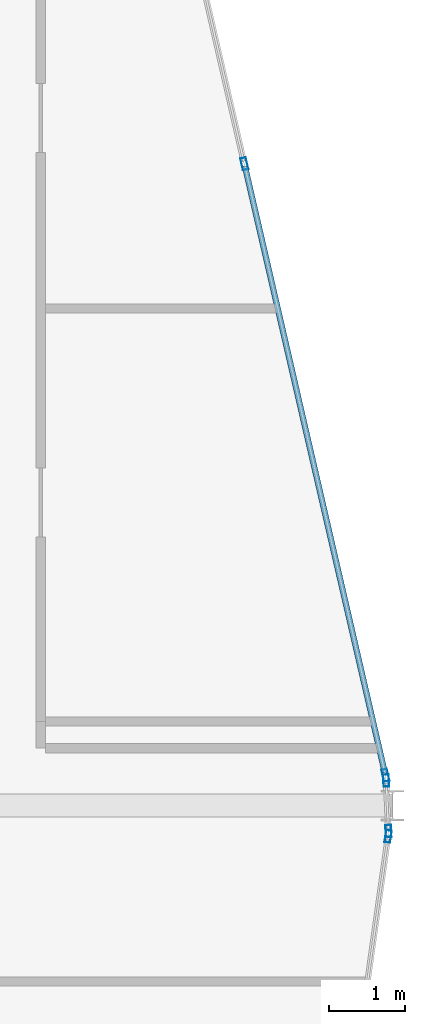
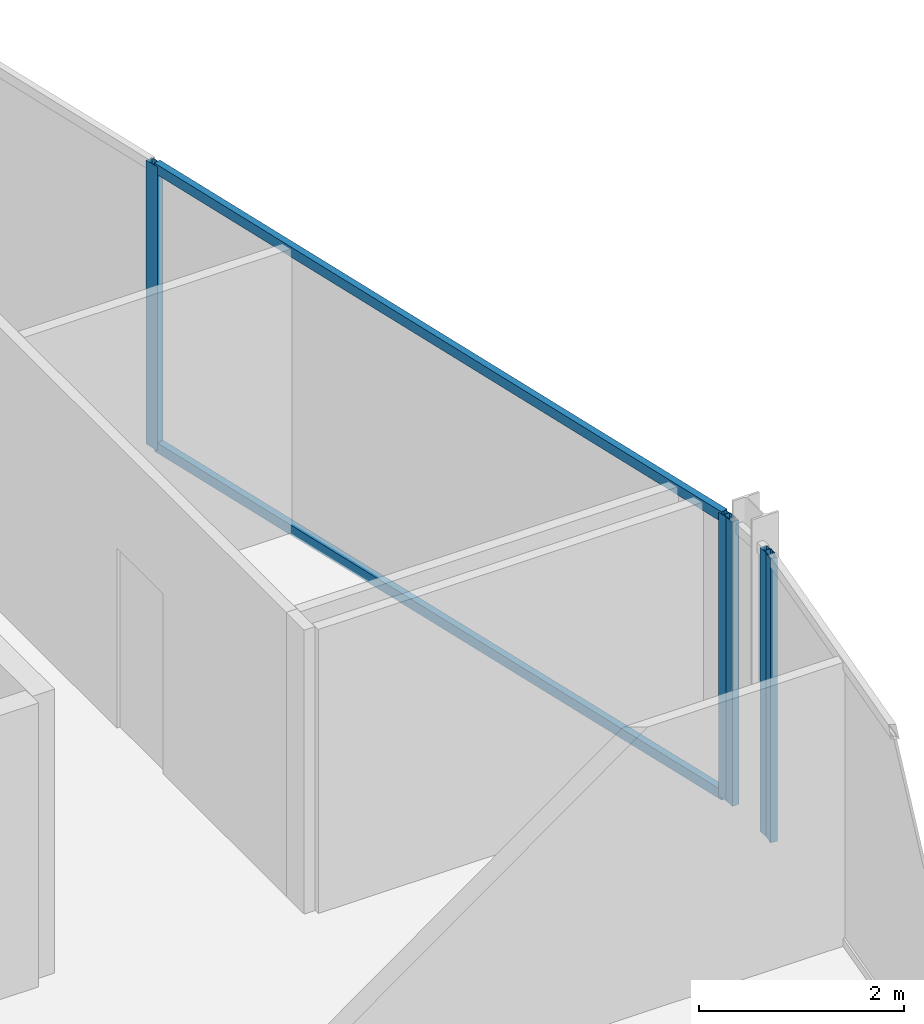
# One storey, part 14 of 27: 7 members, 3 elements without a shape of their own.
"""IFC4 building model written with IfcOpenShell, lengths in metres."""

from ifc_helpers import new_model, si_unit, direction, frame, origin, origin_2d, place, context, subcontext, project, spatial, hollow_rectangle, extrude, material, layer, layer_set, material_profile, profile_set, type_object, element, aggregate, save


model = new_model("IFC4")

# Units and contexts
model_context = context("Model", 3, precision=1e-05, world=origin(), true_north=direction((0.0, 1.0)))
body_context = subcontext(model_context, "Body", "Model", "MODEL_VIEW")
ifc_project = project(units=[si_unit("LENGTHUNIT", "METRE"), si_unit("AREAUNIT", "SQUARE_METRE"), si_unit("VOLUMEUNIT", "CUBIC_METRE"), si_unit("PLANEANGLEUNIT", "RADIAN"), si_unit("MASSUNIT", "GRAM", prefix="KILO")], contexts=[model_context])

# Site, building, storey
site_placement = place(None, origin())
site = spatial("IfcSite", under=ifc_project, at=site_placement, CompositionType="ELEMENT")
building_placement = place(site_placement, origin())
building = spatial("IfcBuilding", under=site, at=building_placement, Name="Keshet Zoharim Tower", CompositionType="ELEMENT")
storey_placement = place(building_placement, frame((0.0, 0.0, 262.10009765625)))
storey = spatial("IfcBuildingStorey", under=building, at=storey_placement, Name="L65", CompositionType="ELEMENT", Elevation=262.10009765625)

# Curtain wall, members
ifc_material = material(Name="Aluminium 6063-T6", Category="aluminium")
ifc_layer = layer(ifc_material, 0.260009765625)
ifc_layer_set = layer_set([ifc_layer], Name="Aluminium 6063-T6")
curtain_wall_type = type_object("IfcCurtainWallType", Name="CW-SYS-06", PredefinedType="NOTDEFINED", material=ifc_layer_set)
curtain_wall_1_placement = place(storey_placement, origin())
curtain_wall_1 = element("IfcCurtainWall", 1, at=curtain_wall_1_placement, inside=storey, type_object=curtain_wall_type, Name="L65 Unitised Curtain Wall 09", PredefinedType="NOTDEFINED")
ifc_material_profile_1 = material_profile(ifc_material, hollow_rectangle(XDim=0.074951171875, YDim=0.159912109375, WallThickness=0.00390625, at=origin_2d()), Name="MUL-75x160")
ifc_profile_set_1 = profile_set([ifc_material_profile_1], Name="Aluminium 6063-T6")
member_type_1 = type_object("IfcMemberType", Name="CWM-M15", PredefinedType="MULLION", material=ifc_profile_set_1)
member_1_placement = place(storey_placement, frame((43.063232421875, 36.291259765625, 0.0), z_axis=(0.0, 0.0, 1.0), x_axis=(0.974398012932, 0.224829963294, 0.0)))
member_1 = element("IfcMember", 2, at=member_1_placement, type_object=member_type_1, Name="CW-06 mullion 3", PredefinedType="MULLION", context=body_context, shape_type="SweptSolid", body=[
    extrude(hollow_rectangle(XDim=0.074951171875, YDim=0.159912109375, WallThickness=0.00390625, at=origin_2d()), origin(), (0.0, 0.0, 1.0), 3.389892578125),
])
member_2_placement = place(storey_placement, frame((44.908203125, 28.296142578125, 0.0), z_axis=(0.0, 0.0, 1.0), x_axis=(0.974398012932, 0.224829963294, 0.0)))
member_2 = element("IfcMember", 3, at=member_2_placement, type_object=member_type_1, Name="CW-06 mullion 4", PredefinedType="MULLION", context=body_context, shape_type="SweptSolid", body=[
    extrude(hollow_rectangle(XDim=0.074951171875, YDim=0.159912109375, WallThickness=0.00390625, at=origin_2d()), origin(), (0.0, 0.0, 1.0), 3.389892578125),
])

curtain_wall_2_placement = place(storey_placement, origin())
curtain_wall_2 = element("IfcCurtainWall", 4, at=curtain_wall_2_placement, inside=storey, type_object=curtain_wall_type, Name="L65 Unitised Curtain Wall 10", PredefinedType="NOTDEFINED")
member_3_placement = place(storey_placement, frame((44.91748046875, 28.22705078125, 0.0), z_axis=(0.0, 0.0, 1.0), x_axis=(0.999040601801, 0.043793560626, 0.0)))
member_3 = element("IfcMember", 5, at=member_3_placement, type_object=member_type_1, Name="CW-06 mullion 1", PredefinedType="MULLION", context=body_context, shape_type="SweptSolid", body=[
    extrude(hollow_rectangle(XDim=0.074951171875, YDim=0.159912109375, WallThickness=0.00390625, at=origin_2d()), origin(), (0.0, 0.0, 1.0), 3.389892578125),
])
member_4_placement = place(storey_placement, frame((44.946533203125, 27.56689453125, 0.0), z_axis=(0.0, 0.0, 1.0), x_axis=(0.999040601801, 0.043793560626, 0.0)))
member_4 = element("IfcMember", 6, at=member_4_placement, type_object=member_type_1, Name="CW-06 mullion 2", PredefinedType="MULLION", context=body_context, shape_type="SweptSolid", body=[
    extrude(hollow_rectangle(XDim=0.074951171875, YDim=0.159912109375, WallThickness=0.00390625, at=origin_2d()), origin(), (0.0, 0.0, 1.0), 3.389892578125),
])
aggregate(curtain_wall_2, [member_3, member_4])

# Curtain wall, member
curtain_wall_3_placement = place(storey_placement, origin())
curtain_wall_3 = element("IfcCurtainWall", 7, at=curtain_wall_3_placement, inside=storey, type_object=curtain_wall_type, Name="L65 Unitised Curtain Wall 11", PredefinedType="NOTDEFINED")
member_5_placement = place(storey_placement, frame((44.943115234375, 27.497314453125, 0.0), z_axis=(0.0, 0.0, 1.0), x_axis=(0.990132057422, -0.140137464177, 0.0)))
member_5 = element("IfcMember", 8, at=member_5_placement, type_object=member_type_1, Name="CW-06 mullion 1", PredefinedType="MULLION", context=body_context, shape_type="SweptSolid", body=[
    extrude(hollow_rectangle(XDim=0.074951171875, YDim=0.159912109375, WallThickness=0.00390625, at=origin_2d()), origin(), (0.0, 0.0, 1.0), 3.389892578125),
])
aggregate(curtain_wall_3, [member_5])

# Member
ifc_material_profile_2 = material_profile(ifc_material, hollow_rectangle(XDim=0.074951171875, YDim=0.1201171875, WallThickness=0.00390625, at=origin_2d()), Name="TRN-75x120")
ifc_profile_set_2 = profile_set([ifc_material_profile_2], Name="Aluminium 6063-T6")
member_type_2 = type_object("IfcMemberType", Name="CWT-T12", PredefinedType="USERDEFINED", material=ifc_profile_set_2)
member_6_placement = place(storey_placement, frame((43.0712890625, 36.25732421875, 0.034912109375), z_axis=(0.224806904107, -0.974403333259, 0.0), x_axis=(0.974403333259, 0.224806904107, 0.0)))
member_6 = element("IfcMember", 9, at=member_6_placement, type_object=member_type_2, Name="CW-06 transom 3.1", ObjectType="TRANSOM", PredefinedType="USERDEFINED", context=body_context, shape_type="SweptSolid", body=[
    extrude(hollow_rectangle(XDim=0.074951171875, YDim=0.1201171875, WallThickness=0.00390625, at=origin_2d()), origin(), (0.0, 0.0, 1.0), 8.13525390625),
])

member_7_placement = place(storey_placement, frame((43.0712890625, 36.25732421875, 3.35498046875), z_axis=(0.224806904107, -0.974403333259, 0.0), x_axis=(0.974403333259, 0.224806904107, 0.0)))
member_7 = element("IfcMember", 10, at=member_7_placement, type_object=member_type_2, Name="CW-06 transom 3.2", ObjectType="TRANSOM", PredefinedType="USERDEFINED", context=body_context, shape_type="SweptSolid", body=[
    extrude(hollow_rectangle(XDim=0.074951171875, YDim=0.1201171875, WallThickness=0.00390625, at=origin_2d()), origin(), (0.0, 0.0, 1.0), 8.13525390625),
])

aggregate(curtain_wall_1, [member_1, member_2, member_6, member_7])

save(model, "model.ifc")
